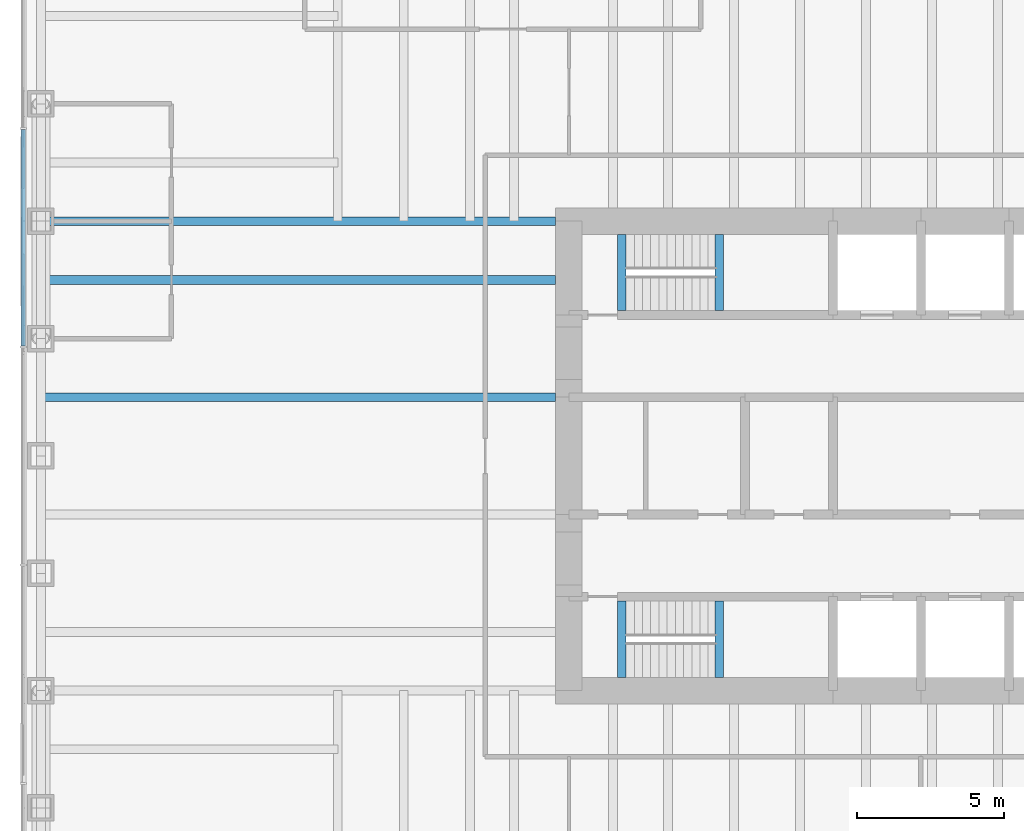
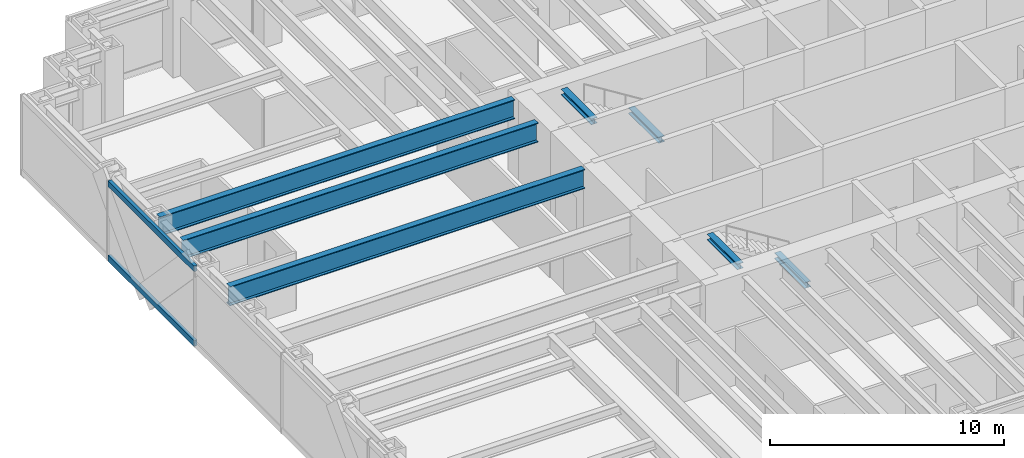
# One storey, part 3 of 15: 7 beams, 2 members, 1 element without a shape of its own.
"""IFC4 building model written with IfcOpenShell, lengths in metres."""

from ifc_helpers import new_model, si_unit, direction, frame, origin, origin_2d, place, context, subcontext, project, spatial, rectangle, i_section, extrude, material, material_profile, profile_set, type_object, element, aggregate, save


model = new_model("IFC4")

# Units and contexts
model_context = context("Model", 3, precision=1e-05, world=origin(), true_north=direction((0.0, 1.0)))
body_context = subcontext(model_context, "Body", "Model", "MODEL_VIEW")
ifc_project = project(units=[si_unit("LENGTHUNIT", "METRE"), si_unit("AREAUNIT", "SQUARE_METRE"), si_unit("VOLUMEUNIT", "CUBIC_METRE"), si_unit("PLANEANGLEUNIT", "RADIAN"), si_unit("MASSUNIT", "GRAM", prefix="KILO")], contexts=[model_context])

# Site, building, storey
site_placement = place(None, origin())
site = spatial("IfcSite", under=ifc_project, at=site_placement, CompositionType="ELEMENT")
building_placement = place(site_placement, origin())
building = spatial("IfcBuilding", under=site, at=building_placement, Name="Rheinbord Bourse Tower", CompositionType="ELEMENT")
storey_placement = place(building_placement, frame((0.0, 0.0, 113.10009765625)))
storey = spatial("IfcBuildingStorey", under=building, at=storey_placement, Name="L24", CompositionType="ELEMENT", Elevation=113.10009765625)

# Curtain wall, members
ifc_material_1 = material(Name="Dark glass and black aluminium", Category="aluminium")
curtain_wall_type = type_object("IfcCurtainWallType", Name="CW2 DARK GLASS CURTAIN WALL", PredefinedType="USERDEFINED", material=ifc_material_1)
curtain_wall_placement = place(storey_placement, origin())
curtain_wall = element("IfcCurtainWall", 1, at=curtain_wall_placement, inside=storey, type_object=curtain_wall_type, Name="Curtain wall CW2 W L24", ObjectType="UNITISED CURTAIN WALL", PredefinedType="USERDEFINED")
ifc_material_2 = material(Name="Black anodised aluminium", Category="aluminium")
ifc_material_profile_1 = material_profile(ifc_material_2, rectangle(XDim=0.159912109375, YDim=0.300048828125, at=origin_2d()), Name="CW2 TRANSOM 300x160")
ifc_profile_set_1 = profile_set([ifc_material_profile_1], Name="Black anodised aluminium")
member_type = type_object("IfcMemberType", Name="CW2 BLACK TRANSOM", PredefinedType="USERDEFINED", material=ifc_profile_set_1)
member_1_placement = place(storey_placement, frame((-0.60009765625, 35.125, 0.14990234375), z_axis=(0.0, -1.0, 0.0), x_axis=(1.0, 0.0, 0.0)))
member_1 = element("IfcMember", 2, at=member_1_placement, type_object=member_type, Name="CW2 transom 2.1", ObjectType="TRANSOM", PredefinedType="USERDEFINED", context=body_context, shape_type="SweptSolid", body=[
    extrude(rectangle(XDim=0.159912109375, YDim=0.300048828125, at=origin_2d()), origin(), (0.0, 0.0, 1.0), 7.3701171875),
])
member_2_placement = place(storey_placement, frame((-0.60009765625, 35.125, 4.0498046875), z_axis=(0.0, -1.0, 0.0), x_axis=(1.0, 0.0, 0.0)))
member_2 = element("IfcMember", 3, at=member_2_placement, type_object=member_type, Name="CW2 transom 2.2", ObjectType="TRANSOM", PredefinedType="USERDEFINED", context=body_context, shape_type="SweptSolid", body=[
    extrude(rectangle(XDim=0.159912109375, YDim=0.300048828125, at=origin_2d()), origin(), (0.0, 0.0, 1.0), 7.3701171875),
])
aggregate(curtain_wall, [member_1, member_2])

# Beams
ifc_material_3 = material(Name="Steel S460", Category="steel")
ifc_material_profile_2 = material_profile(ifc_material_3, i_section(OverallWidth=0.302001953125, OverallDepth=1.008056640625, WebThickness=0.02099609375, FlangeThickness=0.0400390625, at=origin_2d()), Name="HEM 1000")
ifc_profile_set_2 = profile_set([ifc_material_profile_2], Name="Steel S460")
beam_type_1 = type_object("IfcBeamType", Name="END BEAM HEM 1000", PredefinedType="BEAM", material=ifc_profile_set_2)
for number, where, z_axis, x_axis, name in (
    (4, (0.0, 26.0, 3.535888671875), (1.0, 0.0, 0.0), (0.0, 1.0, 0.0), "End beam west 26 L25"),
    (5, (0.0, 30.0, 3.535888671875), (1.0, 0.0, 0.0), (0.0, 1.0, 0.0), "End beam west 30 L25"),
):
    element("IfcBeam", number, at=place(storey_placement, frame(where, z_axis=z_axis, x_axis=x_axis)), inside=storey, type_object=beam_type_1, Name=name, PredefinedType="BEAM", context=body_context, shape_type="SweptSolid", body=[
        extrude(i_section(OverallWidth=0.302001953125, OverallDepth=1.008056640625, WebThickness=0.02099609375, FlangeThickness=0.0400390625, at=origin_2d()), origin(), (0.0, 0.0, 1.0), 17.550048828125),
    ])
ifc_material_4 = material(Name="Steel S460", Category="steel")
ifc_material_profile_3 = material_profile(ifc_material_4, i_section(OverallWidth=0.302001953125, OverallDepth=1.008056640625, WebThickness=0.02099609375, FlangeThickness=0.0400390625, at=origin_2d()), Name="HEM 1000")
ifc_profile_set_3 = profile_set([ifc_material_profile_3], Name="Steel S460")
beam_type_2 = type_object("IfcBeamType", Name="GIRDER HEM 1000", PredefinedType="BEAM", material=ifc_profile_set_3)
beam_placement = place(storey_placement, frame((0.0, 32.0, 3.535888671875), z_axis=(1.0, 0.0, 0.0), x_axis=(0.0, 1.0, 0.0)))
element("IfcBeam", 6, at=beam_placement, inside=storey, type_object=beam_type_2, Name="Girder west 32 L25", PredefinedType="BEAM", context=body_context, shape_type="SweptSolid", body=[
    extrude(i_section(OverallWidth=0.302001953125, OverallDepth=1.008056640625, WebThickness=0.02099609375, FlangeThickness=0.0400390625, at=origin_2d()), origin(), (0.0, 0.0, 1.0), 17.550048828125),
])
ifc_material_5 = material(Name="Steel S460", Category="steel")
ifc_material_profile_4 = material_profile(ifc_material_5, i_section(OverallWidth=0.300048828125, OverallDepth=0.300048828125, WebThickness=0.010986328125, FlangeThickness=0.01904296875, at=origin_2d()), Name="HEB 300")
ifc_profile_set_4 = profile_set([ifc_material_profile_4], Name="Steel S460")
beam_type_3 = type_object("IfcBeamType", Name="LANDING TRIMMER HEB 300", PredefinedType="BEAM", material=ifc_profile_set_4)
for number, where, z_axis, x_axis, name in (
    (7, (23.1298828125, 16.449951171875, 1.75), (0.0, 1.0, 0.0), (-1.0, 0.0, 0.0), "Landing trimmer ST1 L24"),
    (8, (19.800048828125, 16.449951171875, 3.889892578125), (0.0, 1.0, 0.0), (-1.0, 0.0, 0.0), "Well trimmer ST1 under L25"),
    (9, (23.1298828125, 28.949951171875, 1.75), (0.0, 1.0, 0.0), (-1.0, 0.0, 0.0), "Landing trimmer ST2 L24"),
    (10, (19.800048828125, 28.949951171875, 3.889892578125), (0.0, 1.0, 0.0), (-1.0, 0.0, 0.0), "Well trimmer ST2 under L25"),
):
    element("IfcBeam", number, at=place(storey_placement, frame(where, z_axis=z_axis, x_axis=x_axis)), inside=storey, type_object=beam_type_3, Name=name, PredefinedType="BEAM", context=body_context, shape_type="SweptSolid", body=[
        extrude(i_section(OverallWidth=0.300048828125, OverallDepth=0.300048828125, WebThickness=0.010986328125, FlangeThickness=0.01904296875, at=origin_2d()), origin(), (0.0, 0.0, 1.0), 2.60009765625),
    ])

save(model, "model.ifc")
